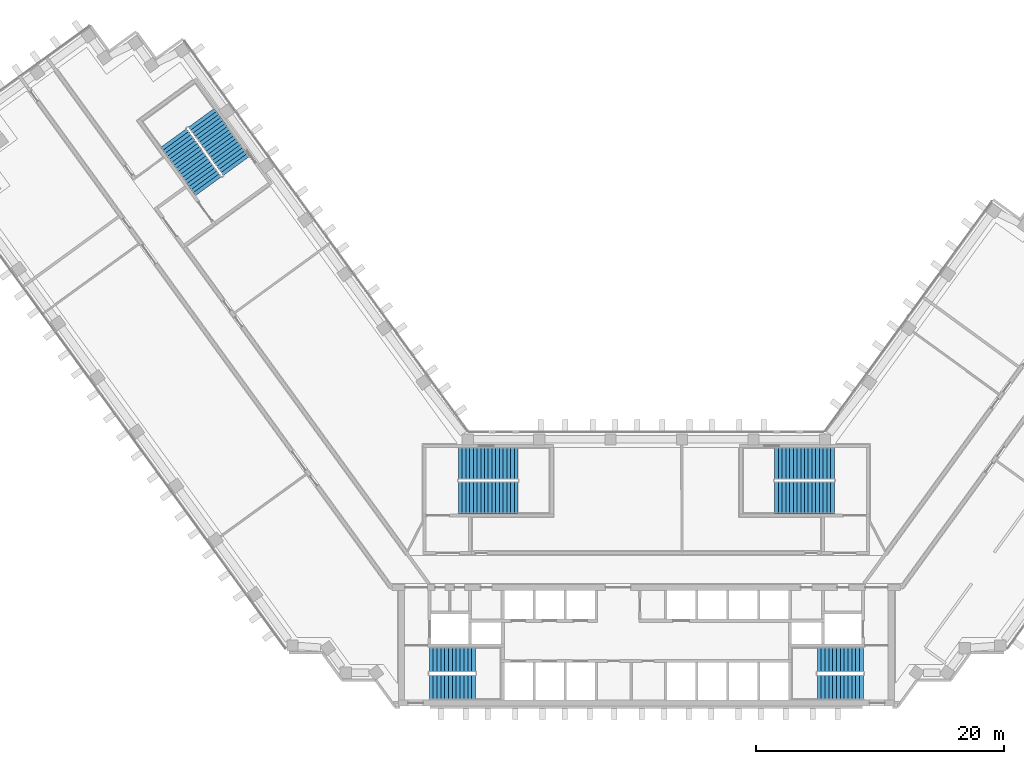
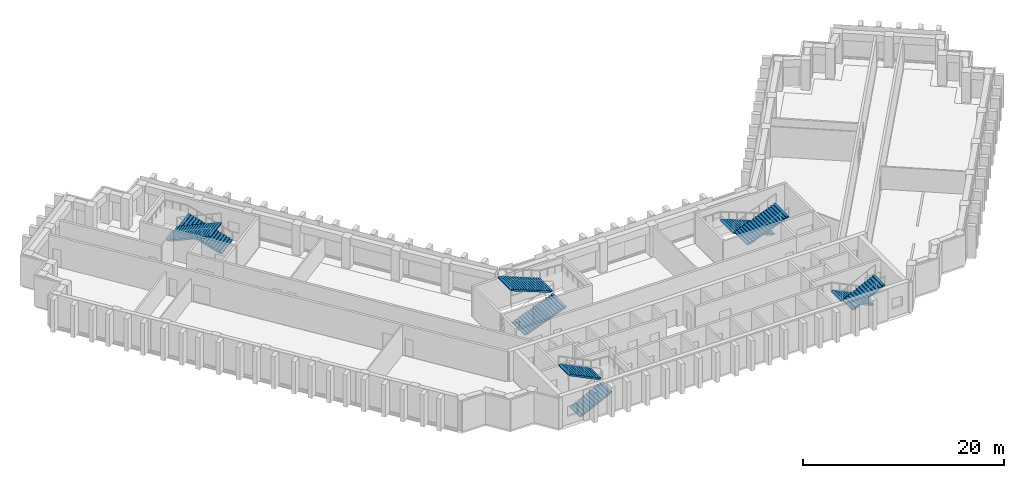
# One storey, part 10 of 12: 10 stair flights, 5 elements without a shape of their own.
"""IFC4 building model written with IfcOpenShell, lengths in metres."""

from ifc_helpers import new_model, si_unit, direction, frame, origin, place, context, subcontext, project, spatial, polyline, outline, extrude, material, type_object, element, aggregate, save


model = new_model("IFC4")

# Units and contexts
model_context = context("Model", 3, precision=1e-05, world=origin(), true_north=direction((0.0, 1.0)))
body_context = subcontext(model_context, "Body", "Model", "MODEL_VIEW")
ifc_project = project(units=[si_unit("LENGTHUNIT", "METRE"), si_unit("AREAUNIT", "SQUARE_METRE"), si_unit("VOLUMEUNIT", "CUBIC_METRE"), si_unit("PLANEANGLEUNIT", "RADIAN"), si_unit("MASSUNIT", "GRAM", prefix="KILO")], contexts=[model_context])

# Site, building, storey
site_placement = place(None, origin())
site = spatial("IfcSite", under=ifc_project, at=site_placement, CompositionType="ELEMENT")
building_placement = place(site_placement, origin())
building = spatial("IfcBuilding", under=site, at=building_placement, Name="Quipu Civic Tower", CompositionType="ELEMENT")
storey_placement = place(building_placement, frame((0.0, 0.0, 109.0)))
storey = spatial("IfcBuildingStorey", under=building, at=storey_placement, Name="L25", CompositionType="ELEMENT", Elevation=109.0)

# Stair, stair flights
ifc_material_1 = material(Name="Concrete C40/50", Category="concrete")
stair_type_1 = type_object("IfcStairType", Name="Half turn stair 2000", PredefinedType="HALF_TURN_STAIR", material=ifc_material_1)
stair_1_placement = place(storey_placement, origin())
stair_1 = element("IfcStair", 1, at=stair_1_placement, inside=storey, type_object=stair_type_1, Name="Exit stair 1", PredefinedType="HALF_TURN_STAIR")
ifc_material_2 = material(Name="Concrete C40/50", Category="concrete")
stair_flight_type_1 = type_object("IfcStairFlightType", Name="Stair flight 2000", PredefinedType="STRAIGHT", material=ifc_material_2)
stair_flight_1_placement = place(storey_placement, frame((-17.5, -9.5, 0.0), z_axis=(0.0, 0.0, 1.0), x_axis=(1.0, 0.0, 0.0)))
stair_flight_1 = element("IfcStairFlight", 2, at=stair_flight_1_placement, type_object=stair_flight_type_1, Name="ST-1 flight 1", NumberOfRisers=13, NumberOfTreads=12, PredefinedType="STRAIGHT", RiserHeight=0.153846154, TreadLength=0.31, context=body_context, shape_type="SweptSolid", body=[
    extrude(outline(polyline([(0.0, 0.0), (0.0, 0.15380859375), (0.31005859375, 0.15380859375), (0.31005859375, 0.3076171875), (0.6201171875, 0.3076171875), (0.6201171875, 0.46142578125), (0.929931640625, 0.46142578125), (0.929931640625, 0.615478515625), (1.239990234375, 0.615478515625), (1.239990234375, 0.769287109375), (1.550048828125, 0.769287109375), (1.550048828125, 0.923095703125), (1.860107421875, 0.923095703125), (1.860107421875, 1.076904296875), (2.169921875, 1.076904296875), (2.169921875, 1.230712890625), (2.47998046875, 1.230712890625), (2.47998046875, 1.384521484375), (2.7900390625, 1.384521484375), (2.7900390625, 1.53857421875), (3.10009765625, 1.53857421875), (3.10009765625, 1.6923828125), (3.409912109375, 1.6923828125), (3.409912109375, 1.84619140625), (3.719970703125, 1.84619140625), (3.719970703125, 2.0), (3.719970703125, 1.6787109375), (0.337158203125, 0.0), (0.0, 0.0)])), frame((0.0, 1.0, 0.0), z_axis=(0.0, -1.0, 0.0), x_axis=(1.0, 0.0, 0.0)), (0.0, 0.0, 1.0), 2.0),
])
stair_flight_2_placement = place(storey_placement, frame((-13.780029296875, -7.25, 2.0), z_axis=(0.0, 0.0, 1.0), x_axis=(-1.0, 0.0, 0.0)))
stair_flight_2 = element("IfcStairFlight", 3, at=stair_flight_2_placement, type_object=stair_flight_type_1, Name="ST-1 flight 2", NumberOfRisers=13, NumberOfTreads=12, PredefinedType="STRAIGHT", RiserHeight=0.153846154, TreadLength=0.31, context=body_context, shape_type="SweptSolid", body=[
    extrude(outline(polyline([(0.0, 0.0), (0.0, 0.15380859375), (0.31005859375, 0.15380859375), (0.31005859375, 0.3076171875), (0.6201171875, 0.3076171875), (0.6201171875, 0.46142578125), (0.929931640625, 0.46142578125), (0.929931640625, 0.615478515625), (1.239990234375, 0.615478515625), (1.239990234375, 0.769287109375), (1.550048828125, 0.769287109375), (1.550048828125, 0.923095703125), (1.860107421875, 0.923095703125), (1.860107421875, 1.076904296875), (2.169921875, 1.076904296875), (2.169921875, 1.230712890625), (2.47998046875, 1.230712890625), (2.47998046875, 1.384521484375), (2.7900390625, 1.384521484375), (2.7900390625, 1.53857421875), (3.10009765625, 1.53857421875), (3.10009765625, 1.6923828125), (3.409912109375, 1.6923828125), (3.409912109375, 1.84619140625), (3.719970703125, 1.84619140625), (3.719970703125, 2.0), (3.719970703125, 1.6787109375), (0.337158203125, 0.0), (0.0, 0.0)])), frame((0.0, 1.0, 0.0), z_axis=(0.0, -1.0, 0.0), x_axis=(1.0, 0.0, 0.0)), (0.0, 0.0, 1.0), 2.0),
])
aggregate(stair_1, [stair_flight_1, stair_flight_2])

stair_2_placement = place(storey_placement, origin())
stair_2 = element("IfcStair", 4, at=stair_2_placement, inside=storey, type_object=stair_type_1, Name="Exit stair 2", PredefinedType="HALF_TURN_STAIR")
stair_flight_3_placement = place(storey_placement, frame((17.5, -7.25, 0.0), z_axis=(0.0, 0.0, 1.0), x_axis=(-1.0, 0.0, 0.0)))
stair_flight_3 = element("IfcStairFlight", 5, at=stair_flight_3_placement, type_object=stair_flight_type_1, Name="ST-2 flight 1", NumberOfRisers=13, NumberOfTreads=12, PredefinedType="STRAIGHT", RiserHeight=0.153846154, TreadLength=0.31, context=body_context, shape_type="SweptSolid", body=[
    extrude(outline(polyline([(0.0, 0.0), (0.0, 0.15380859375), (0.31005859375, 0.15380859375), (0.31005859375, 0.3076171875), (0.6201171875, 0.3076171875), (0.6201171875, 0.46142578125), (0.929931640625, 0.46142578125), (0.929931640625, 0.615478515625), (1.239990234375, 0.615478515625), (1.239990234375, 0.769287109375), (1.550048828125, 0.769287109375), (1.550048828125, 0.923095703125), (1.860107421875, 0.923095703125), (1.860107421875, 1.076904296875), (2.169921875, 1.076904296875), (2.169921875, 1.230712890625), (2.47998046875, 1.230712890625), (2.47998046875, 1.384521484375), (2.7900390625, 1.384521484375), (2.7900390625, 1.53857421875), (3.10009765625, 1.53857421875), (3.10009765625, 1.6923828125), (3.409912109375, 1.6923828125), (3.409912109375, 1.84619140625), (3.719970703125, 1.84619140625), (3.719970703125, 2.0), (3.719970703125, 1.6787109375), (0.337158203125, 0.0), (0.0, 0.0)])), frame((0.0, 1.0, 0.0), z_axis=(0.0, -1.0, 0.0), x_axis=(1.0, 0.0, 0.0)), (0.0, 0.0, 1.0), 2.0),
])
stair_flight_4_placement = place(storey_placement, frame((13.780029296875, -9.5, 2.0), z_axis=(0.0, 0.0, 1.0), x_axis=(1.0, 0.0, 0.0)))
stair_flight_4 = element("IfcStairFlight", 6, at=stair_flight_4_placement, type_object=stair_flight_type_1, Name="ST-2 flight 2", NumberOfRisers=13, NumberOfTreads=12, PredefinedType="STRAIGHT", RiserHeight=0.153846154, TreadLength=0.31, context=body_context, shape_type="SweptSolid", body=[
    extrude(outline(polyline([(0.0, 0.0), (0.0, 0.15380859375), (0.31005859375, 0.15380859375), (0.31005859375, 0.3076171875), (0.6201171875, 0.3076171875), (0.6201171875, 0.46142578125), (0.929931640625, 0.46142578125), (0.929931640625, 0.615478515625), (1.239990234375, 0.615478515625), (1.239990234375, 0.769287109375), (1.550048828125, 0.769287109375), (1.550048828125, 0.923095703125), (1.860107421875, 0.923095703125), (1.860107421875, 1.076904296875), (2.169921875, 1.076904296875), (2.169921875, 1.230712890625), (2.47998046875, 1.230712890625), (2.47998046875, 1.384521484375), (2.7900390625, 1.384521484375), (2.7900390625, 1.53857421875), (3.10009765625, 1.53857421875), (3.10009765625, 1.6923828125), (3.409912109375, 1.6923828125), (3.409912109375, 1.84619140625), (3.719970703125, 1.84619140625), (3.719970703125, 2.0), (3.719970703125, 1.6787109375), (0.337158203125, 0.0), (0.0, 0.0)])), frame((0.0, 1.0, 0.0), z_axis=(0.0, -1.0, 0.0), x_axis=(1.0, 0.0, 0.0)), (0.0, 0.0, 1.0), 2.0),
])
aggregate(stair_2, [stair_flight_3, stair_flight_4])

ifc_material_3 = material(Name="Concrete C40/50", Category="concrete")
stair_type_2 = type_object("IfcStairType", Name="Half turn stair 2600", PredefinedType="HALF_TURN_STAIR", material=ifc_material_3)
stair_3_placement = place(storey_placement, origin())
stair_3 = element("IfcStair", 7, at=stair_3_placement, inside=storey, type_object=stair_type_2, Name="Exit stair 3", PredefinedType="HALF_TURN_STAIR")
ifc_material_4 = material(Name="Concrete C40/50", Category="concrete")
stair_flight_type_2 = type_object("IfcStairFlightType", Name="Stair flight 2600", PredefinedType="STRAIGHT", material=ifc_material_4)
stair_flight_5_placement = place(storey_placement, frame((-15.14990234375, 5.800048828125, 0.0), z_axis=(0.0, 0.0, 1.0), x_axis=(1.0, 0.0, 0.0)))
stair_flight_5 = element("IfcStairFlight", 8, at=stair_flight_5_placement, type_object=stair_flight_type_2, Name="ST-3 flight 1", NumberOfRisers=17, NumberOfTreads=16, PredefinedType="STRAIGHT", RiserHeight=0.117647059, TreadLength=0.3, context=body_context, shape_type="SweptSolid", body=[
    extrude(outline(polyline([(0.0, 0.0), (0.0, 0.11767578125), (0.300048828125, 0.11767578125), (0.300048828125, 0.2353515625), (0.60009765625, 0.2353515625), (0.60009765625, 0.35302734375), (0.89990234375, 0.35302734375), (0.89990234375, 0.470703125), (1.199951171875, 0.470703125), (1.199951171875, 0.588134765625), (1.5, 0.588134765625), (1.5, 0.705810546875), (1.800048828125, 0.705810546875), (1.800048828125, 0.823486328125), (2.10009765625, 0.823486328125), (2.10009765625, 0.941162109375), (2.39990234375, 0.941162109375), (2.39990234375, 1.058837890625), (2.699951171875, 1.058837890625), (2.699951171875, 1.176513671875), (3.0, 1.176513671875), (3.0, 1.294189453125), (3.300048828125, 1.294189453125), (3.300048828125, 1.411865234375), (3.60009765625, 1.411865234375), (3.60009765625, 1.529296875), (3.89990234375, 1.529296875), (3.89990234375, 1.64697265625), (4.199951171875, 1.64697265625), (4.199951171875, 1.7646484375), (4.5, 1.7646484375), (4.5, 1.88232421875), (4.800048828125, 1.88232421875), (4.800048828125, 2.0), (4.800048828125, 1.721435546875), (0.41064453125, 0.0), (0.0, 0.0)])), frame((0.0, 1.300048828125, 0.0), z_axis=(0.0, -1.0, 0.0), x_axis=(1.0, 0.0, 0.0)), (0.0, 0.0, 1.0), 2.60009765625),
])
stair_flight_6_placement = place(storey_placement, frame((-10.35009765625, 8.550048828125, 2.0), z_axis=(0.0, 0.0, 1.0), x_axis=(-1.0, 0.0, 0.0)))
stair_flight_6 = element("IfcStairFlight", 9, at=stair_flight_6_placement, type_object=stair_flight_type_2, Name="ST-3 flight 2", NumberOfRisers=17, NumberOfTreads=16, PredefinedType="STRAIGHT", RiserHeight=0.117647059, TreadLength=0.3, context=body_context, shape_type="SweptSolid", body=[
    extrude(outline(polyline([(0.0, 0.0), (0.0, 0.11767578125), (0.300048828125, 0.11767578125), (0.300048828125, 0.2353515625), (0.60009765625, 0.2353515625), (0.60009765625, 0.35302734375), (0.89990234375, 0.35302734375), (0.89990234375, 0.470703125), (1.199951171875, 0.470703125), (1.199951171875, 0.588134765625), (1.5, 0.588134765625), (1.5, 0.705810546875), (1.800048828125, 0.705810546875), (1.800048828125, 0.823486328125), (2.10009765625, 0.823486328125), (2.10009765625, 0.941162109375), (2.39990234375, 0.941162109375), (2.39990234375, 1.058837890625), (2.699951171875, 1.058837890625), (2.699951171875, 1.176513671875), (3.0, 1.176513671875), (3.0, 1.294189453125), (3.300048828125, 1.294189453125), (3.300048828125, 1.411865234375), (3.60009765625, 1.411865234375), (3.60009765625, 1.529296875), (3.89990234375, 1.529296875), (3.89990234375, 1.64697265625), (4.199951171875, 1.64697265625), (4.199951171875, 1.7646484375), (4.5, 1.7646484375), (4.5, 1.88232421875), (4.800048828125, 1.88232421875), (4.800048828125, 2.0), (4.800048828125, 1.721435546875), (0.41064453125, 0.0), (0.0, 0.0)])), frame((0.0, 1.300048828125, 0.0), z_axis=(0.0, -1.0, 0.0), x_axis=(1.0, 0.0, 0.0)), (0.0, 0.0, 1.0), 2.60009765625),
])
aggregate(stair_3, [stair_flight_5, stair_flight_6])

stair_4_placement = place(storey_placement, origin())
stair_4 = element("IfcStair", 10, at=stair_4_placement, inside=storey, type_object=stair_type_2, Name="Exit stair 4", PredefinedType="HALF_TURN_STAIR")
stair_flight_7_placement = place(storey_placement, frame((15.14990234375, 8.550048828125, 0.0), z_axis=(0.0, 0.0, 1.0), x_axis=(-1.0, 0.0, 0.0)))
stair_flight_7 = element("IfcStairFlight", 11, at=stair_flight_7_placement, type_object=stair_flight_type_2, Name="ST-4 flight 1", NumberOfRisers=17, NumberOfTreads=16, PredefinedType="STRAIGHT", RiserHeight=0.117647059, TreadLength=0.3, context=body_context, shape_type="SweptSolid", body=[
    extrude(outline(polyline([(0.0, 0.0), (0.0, 0.11767578125), (0.300048828125, 0.11767578125), (0.300048828125, 0.2353515625), (0.60009765625, 0.2353515625), (0.60009765625, 0.35302734375), (0.89990234375, 0.35302734375), (0.89990234375, 0.470703125), (1.199951171875, 0.470703125), (1.199951171875, 0.588134765625), (1.5, 0.588134765625), (1.5, 0.705810546875), (1.800048828125, 0.705810546875), (1.800048828125, 0.823486328125), (2.10009765625, 0.823486328125), (2.10009765625, 0.941162109375), (2.39990234375, 0.941162109375), (2.39990234375, 1.058837890625), (2.699951171875, 1.058837890625), (2.699951171875, 1.176513671875), (3.0, 1.176513671875), (3.0, 1.294189453125), (3.300048828125, 1.294189453125), (3.300048828125, 1.411865234375), (3.60009765625, 1.411865234375), (3.60009765625, 1.529296875), (3.89990234375, 1.529296875), (3.89990234375, 1.64697265625), (4.199951171875, 1.64697265625), (4.199951171875, 1.7646484375), (4.5, 1.7646484375), (4.5, 1.88232421875), (4.800048828125, 1.88232421875), (4.800048828125, 2.0), (4.800048828125, 1.721435546875), (0.41064453125, 0.0), (0.0, 0.0)])), frame((0.0, 1.300048828125, 0.0), z_axis=(0.0, -1.0, 0.0), x_axis=(1.0, 0.0, 0.0)), (0.0, 0.0, 1.0), 2.60009765625),
])
stair_flight_8_placement = place(storey_placement, frame((10.35009765625, 5.800048828125, 2.0), z_axis=(0.0, 0.0, 1.0), x_axis=(1.0, 0.0, 0.0)))
stair_flight_8 = element("IfcStairFlight", 12, at=stair_flight_8_placement, type_object=stair_flight_type_2, Name="ST-4 flight 2", NumberOfRisers=17, NumberOfTreads=16, PredefinedType="STRAIGHT", RiserHeight=0.117647059, TreadLength=0.3, context=body_context, shape_type="SweptSolid", body=[
    extrude(outline(polyline([(0.0, 0.0), (0.0, 0.11767578125), (0.300048828125, 0.11767578125), (0.300048828125, 0.2353515625), (0.60009765625, 0.2353515625), (0.60009765625, 0.35302734375), (0.89990234375, 0.35302734375), (0.89990234375, 0.470703125), (1.199951171875, 0.470703125), (1.199951171875, 0.588134765625), (1.5, 0.588134765625), (1.5, 0.705810546875), (1.800048828125, 0.705810546875), (1.800048828125, 0.823486328125), (2.10009765625, 0.823486328125), (2.10009765625, 0.941162109375), (2.39990234375, 0.941162109375), (2.39990234375, 1.058837890625), (2.699951171875, 1.058837890625), (2.699951171875, 1.176513671875), (3.0, 1.176513671875), (3.0, 1.294189453125), (3.300048828125, 1.294189453125), (3.300048828125, 1.411865234375), (3.60009765625, 1.411865234375), (3.60009765625, 1.529296875), (3.89990234375, 1.529296875), (3.89990234375, 1.64697265625), (4.199951171875, 1.64697265625), (4.199951171875, 1.7646484375), (4.5, 1.7646484375), (4.5, 1.88232421875), (4.800048828125, 1.88232421875), (4.800048828125, 2.0), (4.800048828125, 1.721435546875), (0.41064453125, 0.0), (0.0, 0.0)])), frame((0.0, 1.300048828125, 0.0), z_axis=(0.0, -1.0, 0.0), x_axis=(1.0, 0.0, 0.0)), (0.0, 0.0, 1.0), 2.60009765625),
])
aggregate(stair_4, [stair_flight_7, stair_flight_8])

stair_5_placement = place(storey_placement, origin())
stair_5 = element("IfcStair", 13, at=stair_5_placement, inside=storey, type_object=stair_type_2, Name="Exit stair 6", PredefinedType="HALF_TURN_STAIR")
stair_flight_9_placement = place(storey_placement, frame((-33.067626953125, 32.5322265625, 0.0), z_axis=(0.0, 0.0, 1.0), x_axis=(-0.587785252292, 0.809016994375, 0.0)))
stair_flight_9 = element("IfcStairFlight", 14, at=stair_flight_9_placement, type_object=stair_flight_type_2, Name="ST-6 flight 1", NumberOfRisers=17, NumberOfTreads=16, PredefinedType="STRAIGHT", RiserHeight=0.117647059, TreadLength=0.3, context=body_context, shape_type="SweptSolid", body=[
    extrude(outline(polyline([(0.0, 0.0), (0.0, 0.11767578125), (0.300048828125, 0.11767578125), (0.300048828125, 0.2353515625), (0.60009765625, 0.2353515625), (0.60009765625, 0.35302734375), (0.89990234375, 0.35302734375), (0.89990234375, 0.470703125), (1.199951171875, 0.470703125), (1.199951171875, 0.588134765625), (1.5, 0.588134765625), (1.5, 0.705810546875), (1.800048828125, 0.705810546875), (1.800048828125, 0.823486328125), (2.10009765625, 0.823486328125), (2.10009765625, 0.941162109375), (2.39990234375, 0.941162109375), (2.39990234375, 1.058837890625), (2.699951171875, 1.058837890625), (2.699951171875, 1.176513671875), (3.0, 1.176513671875), (3.0, 1.294189453125), (3.300048828125, 1.294189453125), (3.300048828125, 1.411865234375), (3.60009765625, 1.411865234375), (3.60009765625, 1.529296875), (3.89990234375, 1.529296875), (3.89990234375, 1.64697265625), (4.199951171875, 1.64697265625), (4.199951171875, 1.7646484375), (4.5, 1.7646484375), (4.5, 1.88232421875), (4.800048828125, 1.88232421875), (4.800048828125, 2.0), (4.800048828125, 1.721435546875), (0.41064453125, 0.0), (0.0, 0.0)])), frame((0.0, 1.300048828125, 0.0), z_axis=(0.0, -1.0, 0.0), x_axis=(1.0, 0.0, 0.0)), (0.0, 0.0, 1.0), 2.60009765625),
])
stair_flight_10_placement = place(storey_placement, frame((-38.11376953125, 34.799072265625, 2.0), z_axis=(0.0, 0.0, 1.0), x_axis=(0.587785252292, -0.809016994375, 0.0)))
stair_flight_10 = element("IfcStairFlight", 15, at=stair_flight_10_placement, type_object=stair_flight_type_2, Name="ST-6 flight 2", NumberOfRisers=17, NumberOfTreads=16, PredefinedType="STRAIGHT", RiserHeight=0.117647059, TreadLength=0.3, context=body_context, shape_type="SweptSolid", body=[
    extrude(outline(polyline([(0.0, 0.0), (0.0, 0.11767578125), (0.300048828125, 0.11767578125), (0.300048828125, 0.2353515625), (0.60009765625, 0.2353515625), (0.60009765625, 0.35302734375), (0.89990234375, 0.35302734375), (0.89990234375, 0.470703125), (1.199951171875, 0.470703125), (1.199951171875, 0.588134765625), (1.5, 0.588134765625), (1.5, 0.705810546875), (1.800048828125, 0.705810546875), (1.800048828125, 0.823486328125), (2.10009765625, 0.823486328125), (2.10009765625, 0.941162109375), (2.39990234375, 0.941162109375), (2.39990234375, 1.058837890625), (2.699951171875, 1.058837890625), (2.699951171875, 1.176513671875), (3.0, 1.176513671875), (3.0, 1.294189453125), (3.300048828125, 1.294189453125), (3.300048828125, 1.411865234375), (3.60009765625, 1.411865234375), (3.60009765625, 1.529296875), (3.89990234375, 1.529296875), (3.89990234375, 1.64697265625), (4.199951171875, 1.64697265625), (4.199951171875, 1.7646484375), (4.5, 1.7646484375), (4.5, 1.88232421875), (4.800048828125, 1.88232421875), (4.800048828125, 2.0), (4.800048828125, 1.721435546875), (0.41064453125, 0.0), (0.0, 0.0)])), frame((0.0, 1.300048828125, 0.0), z_axis=(0.0, -1.0, 0.0), x_axis=(1.0, 0.0, 0.0)), (0.0, 0.0, 1.0), 2.60009765625),
])
aggregate(stair_5, [stair_flight_9, stair_flight_10])

save(model, "model.ifc")
